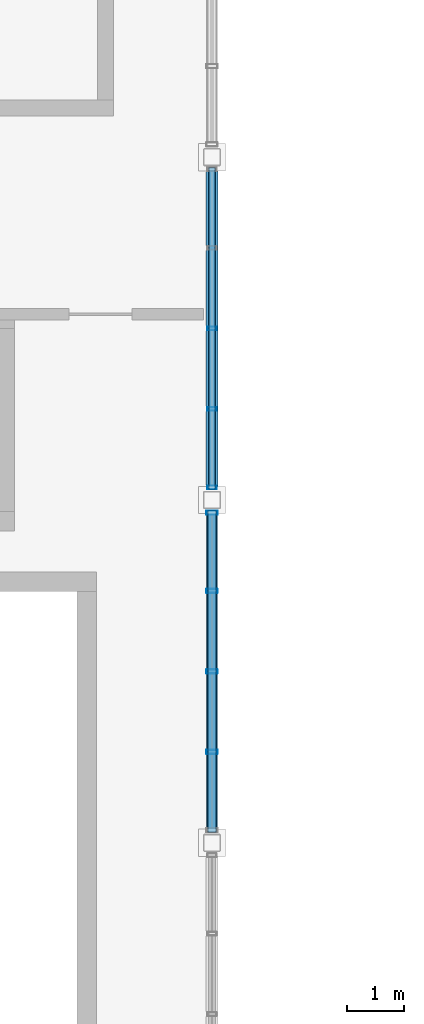
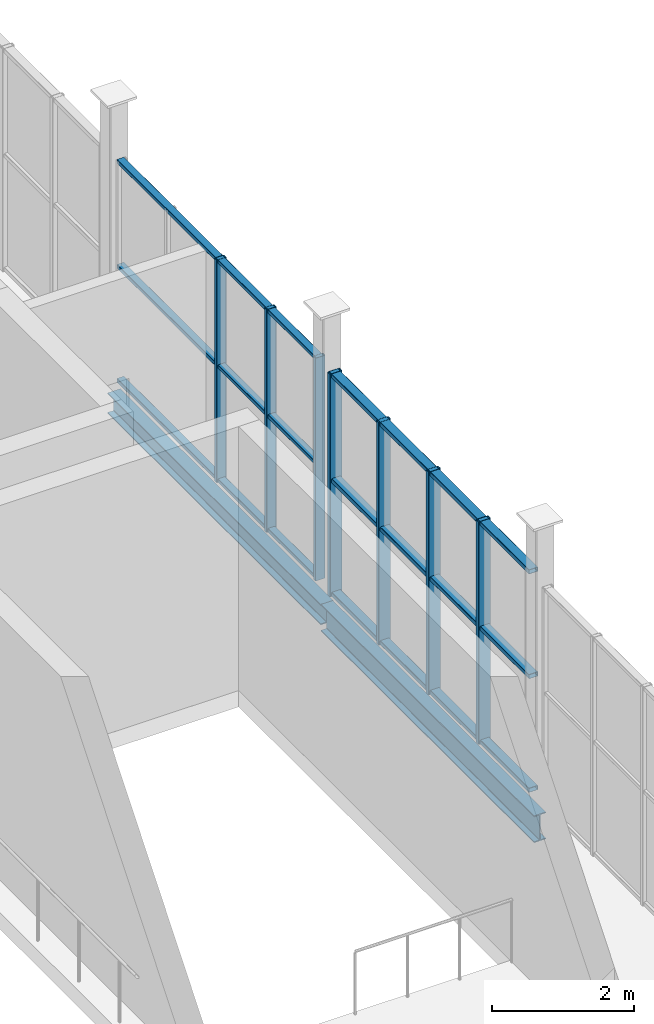
# One storey, part 36 of 114: 13 members, 2 beams, 2 elements without a shape of their own.
"""IFC4 building model written with IfcOpenShell, lengths in metres."""

from ifc_helpers import new_model, si_unit, direction, frame, origin, origin_2d, place, context, subcontext, project, spatial, hollow_rectangle, i_section, extrude, material, material_profile, profile_set, type_object, element, aggregate, save


model = new_model("IFC4")

# Units and contexts
model_context = context("Model", 3, precision=1e-05, world=origin(), true_north=direction((0.0, 1.0)))
body_context = subcontext(model_context, "Body", "Model", "MODEL_VIEW")
ifc_project = project(units=[si_unit("LENGTHUNIT", "METRE"), si_unit("AREAUNIT", "SQUARE_METRE"), si_unit("VOLUMEUNIT", "CUBIC_METRE"), si_unit("PLANEANGLEUNIT", "RADIAN"), si_unit("MASSUNIT", "GRAM", prefix="KILO")], contexts=[model_context])

# Site, building, storey
site_placement = place(None, origin())
site = spatial("IfcSite", under=ifc_project, at=site_placement, CompositionType="ELEMENT")
building_placement = place(site_placement, origin())
building = spatial("IfcBuilding", under=site, at=building_placement, Name="Verrall Gate Interchange", CompositionType="ELEMENT")
storey_placement = place(building_placement, frame((0.0, 0.0, 6.60009765625)))
storey = spatial("IfcBuildingStorey", under=building, at=storey_placement, Name="L02", CompositionType="ELEMENT", Elevation=6.60009765625)

# Beams
ifc_material_1 = material(Name="Structural Steel CSA G40.21 350W", Category="steel")
ifc_material_profile_1 = material_profile(ifc_material_1, i_section(OverallWidth=0.19189453125, OverallDepth=0.462890625, WebThickness=0.010498046875, FlangeThickness=0.017578125, FilletRadius=0.012939453125, at=origin_2d()), Name="W460x89")
ifc_profile_set_1 = profile_set([ifc_material_profile_1], Name="Structural Steel CSA G40.21 350W")
beam_type_1 = type_object("IfcBeamType", Name="B-11 Structural Beam W460x89", PredefinedType="BEAM", material=ifc_profile_set_1)
beam_1_placement = place(storey_placement, frame((108.0, 22.0, -0.51171875), z_axis=(0.0, 1.0, 0.0), x_axis=(-1.0, 0.0, 0.0)))
element("IfcBeam", 1, at=beam_1_placement, inside=storey, type_object=beam_type_1, Name="L02 Girder BM-L02-1775 (B-11)", PredefinedType="BEAM", context=body_context, shape_type="SweptSolid", body=[
    extrude(i_section(OverallWidth=0.19189453125, OverallDepth=0.462890625, WebThickness=0.010498046875, FlangeThickness=0.017578125, FilletRadius=0.012939453125, at=origin_2d()), origin(), (0.0, 0.0, 1.0), 6.0),
])
ifc_material_2 = material(Name="Structural Steel CSA G40.21 350W", Category="steel")
ifc_material_profile_2 = material_profile(ifc_material_2, i_section(OverallWidth=0.205078125, OverallDepth=0.35400390625, WebThickness=0.009521484375, FlangeThickness=0.016845703125, FilletRadius=0.012939453125, at=origin_2d()), Name="W360x79")
ifc_profile_set_2 = profile_set([ifc_material_profile_2], Name="Structural Steel CSA G40.21 350W")
beam_type_2 = type_object("IfcBeamType", Name="B-14 Structural Beam W360x79", PredefinedType="BEAM", material=ifc_profile_set_2)
beam_2_placement = place(storey_placement, frame((108.0, 28.0, -0.45703125), z_axis=(0.0, 1.0, 0.0), x_axis=(-1.0, 0.0, 0.0)))
element("IfcBeam", 2, at=beam_2_placement, inside=storey, type_object=beam_type_2, Name="L02 Girder BM-L02-1776 (B-14)", PredefinedType="BEAM", context=body_context, shape_type="SweptSolid", body=[
    extrude(i_section(OverallWidth=0.205078125, OverallDepth=0.35400390625, WebThickness=0.009521484375, FlangeThickness=0.016845703125, FilletRadius=0.012939453125, at=origin_2d()), origin(), (0.0, 0.0, 1.0), 6.0),
])

# Curtain wall, members
ifc_material_3 = material(Name="Thermally Broken Anodized Aluminium Curtain Wall Framing", Category="aluminium")
curtain_wall_type = type_object("IfcCurtainWallType", Name="CW-18 Unitized Curtain Wall 5631x3760", PredefinedType="NOTDEFINED", material=ifc_material_3)
curtain_wall_1_placement = place(storey_placement, origin())
curtain_wall_1 = element("IfcCurtainWall", 3, at=curtain_wall_1_placement, inside=storey, type_object=curtain_wall_type, Name="L02 Unitized Curtain Wall CW-L02-066", PredefinedType="NOTDEFINED")
ifc_material_4 = material(Name="Thermally Broken Anodized Aluminium Curtain Wall Framing", Category="aluminium")
ifc_material_profile_3 = material_profile(ifc_material_4, hollow_rectangle(XDim=0.06494140625, YDim=0.159912109375, WallThickness=0.00390625, InnerFilletRadius=0.00390625, OuterFilletRadius=0.008056640625, at=origin_2d()), Name="CWM160x65x4")
ifc_profile_set_3 = profile_set([ifc_material_profile_3], Name="Thermally Broken Anodized Aluminium Curtain Wall Framing")
member_type_1 = type_object("IfcMemberType", Name="CM-01 Curtain Mullion CWM160x65x4", PredefinedType="MULLION", material=ifc_profile_set_3)
member_1_placement = place(storey_placement, frame((108.0, 28.217041015625, 0.0), z_axis=(0.0, 0.0, 1.0), x_axis=(0.0, 1.0, 0.0)))
member_1 = element("IfcMember", 4, at=member_1_placement, type_object=member_type_1, Name="CW-L02-066 Mullion 1", PredefinedType="MULLION", context=body_context, shape_type="SweptSolid", body=[
    extrude(hollow_rectangle(XDim=0.06494140625, YDim=0.159912109375, WallThickness=0.00390625, InnerFilletRadius=0.00390625, OuterFilletRadius=0.008056640625, at=origin_2d()), origin(), (0.0, 0.0, 1.0), 3.829833984375),
])
member_2_placement = place(storey_placement, frame((108.0, 29.59228515625, 0.0), z_axis=(0.0, 0.0, 1.0), x_axis=(0.0, 1.0, 0.0)))
member_2 = element("IfcMember", 5, at=member_2_placement, type_object=member_type_1, Name="CW-L02-066 Mullion 2", PredefinedType="MULLION", context=body_context, shape_type="SweptSolid", body=[
    extrude(hollow_rectangle(XDim=0.06494140625, YDim=0.159912109375, WallThickness=0.00390625, InnerFilletRadius=0.00390625, OuterFilletRadius=0.008056640625, at=origin_2d()), origin(), (0.0, 0.0, 1.0), 3.829833984375),
])
member_3_placement = place(storey_placement, frame((108.0, 31.0, 0.0), z_axis=(0.0, 0.0, 1.0), x_axis=(0.0, 1.0, 0.0)))
member_3 = element("IfcMember", 6, at=member_3_placement, type_object=member_type_1, Name="CW-L02-066 Mullion 3", PredefinedType="MULLION", context=body_context, shape_type="SweptSolid", body=[
    extrude(hollow_rectangle(XDim=0.06494140625, YDim=0.159912109375, WallThickness=0.00390625, InnerFilletRadius=0.00390625, OuterFilletRadius=0.008056640625, at=origin_2d()), origin(), (0.0, 0.0, 1.0), 3.829833984375),
])

curtain_wall_2_placement = place(storey_placement, origin())
curtain_wall_2 = element("IfcCurtainWall", 7, at=curtain_wall_2_placement, inside=storey, type_object=curtain_wall_type, Name="L02 Unitized Curtain Wall CW-L02-065", PredefinedType="NOTDEFINED")
ifc_material_5 = material(Name="Thermally Broken Anodized Aluminium Curtain Wall Framing", Category="aluminium")
ifc_material_profile_4 = material_profile(ifc_material_5, hollow_rectangle(XDim=0.074951171875, YDim=0.199951171875, WallThickness=0.0048828125, InnerFilletRadius=0.0048828125, OuterFilletRadius=0.010009765625, at=origin_2d()), Name="CWM200x75x5")
ifc_profile_set_4 = profile_set([ifc_material_profile_4], Name="Thermally Broken Anodized Aluminium Curtain Wall Framing")
member_type_2 = type_object("IfcMemberType", Name="CM-02 Curtain Mullion CWM200x75x5", PredefinedType="MULLION", material=ifc_profile_set_4)
member_4_placement = place(storey_placement, frame((108.0, 23.59228515625, 0.0), z_axis=(0.0, 0.0, 1.0), x_axis=(0.0, 1.0, 0.0)))
member_4 = element("IfcMember", 8, at=member_4_placement, type_object=member_type_2, Name="CW-L02-065 Mullion 2", PredefinedType="MULLION", context=body_context, shape_type="SweptSolid", body=[
    extrude(hollow_rectangle(XDim=0.074951171875, YDim=0.199951171875, WallThickness=0.0048828125, InnerFilletRadius=0.0048828125, OuterFilletRadius=0.010009765625, at=origin_2d()), origin(), (0.0, 0.0, 1.0), 3.829833984375),
])
member_5_placement = place(storey_placement, frame((108.0, 25.0, 0.0), z_axis=(0.0, 0.0, 1.0), x_axis=(0.0, 1.0, 0.0)))
member_5 = element("IfcMember", 9, at=member_5_placement, type_object=member_type_2, Name="CW-L02-065 Mullion 3", PredefinedType="MULLION", context=body_context, shape_type="SweptSolid", body=[
    extrude(hollow_rectangle(XDim=0.074951171875, YDim=0.199951171875, WallThickness=0.0048828125, InnerFilletRadius=0.0048828125, OuterFilletRadius=0.010009765625, at=origin_2d()), origin(), (0.0, 0.0, 1.0), 3.829833984375),
])
member_6_placement = place(storey_placement, frame((108.0, 26.40771484375, 0.0), z_axis=(0.0, 0.0, 1.0), x_axis=(0.0, 1.0, 0.0)))
member_6 = element("IfcMember", 10, at=member_6_placement, type_object=member_type_2, Name="CW-L02-065 Mullion 4", PredefinedType="MULLION", context=body_context, shape_type="SweptSolid", body=[
    extrude(hollow_rectangle(XDim=0.074951171875, YDim=0.199951171875, WallThickness=0.0048828125, InnerFilletRadius=0.0048828125, OuterFilletRadius=0.010009765625, at=origin_2d()), origin(), (0.0, 0.0, 1.0), 3.829833984375),
])
member_7_placement = place(storey_placement, frame((108.0, 27.778076171875, 0.0), z_axis=(0.0, 0.0, 1.0), x_axis=(0.0, 1.0, 0.0)))
member_7 = element("IfcMember", 11, at=member_7_placement, type_object=member_type_2, Name="CW-L02-065 Mullion 5", PredefinedType="MULLION", context=body_context, shape_type="SweptSolid", body=[
    extrude(hollow_rectangle(XDim=0.074951171875, YDim=0.199951171875, WallThickness=0.0048828125, InnerFilletRadius=0.0048828125, OuterFilletRadius=0.010009765625, at=origin_2d()), origin(), (0.0, 0.0, 1.0), 3.829833984375),
])

# Member
ifc_material_6 = material(Name="Thermally Broken Anodized Aluminium Curtain Wall Framing", Category="aluminium")
ifc_material_profile_5 = material_profile(ifc_material_6, hollow_rectangle(XDim=0.1201171875, YDim=0.06494140625, WallThickness=0.00390625, InnerFilletRadius=0.00390625, OuterFilletRadius=0.008056640625, at=origin_2d()), Name="CWT120x65x4")
ifc_profile_set_5 = profile_set([ifc_material_profile_5], Name="Thermally Broken Anodized Aluminium Curtain Wall Framing")
member_type_3 = type_object("IfcMemberType", Name="CT-01 Curtain Transom CWT120x65x4", PredefinedType="USERDEFINED", material=ifc_profile_set_5)
member_8_placement = place(storey_placement, frame((108.0, 28.1845703125, 0.032470703125), z_axis=(0.0, 1.0, 0.0), x_axis=(-1.0, 0.0, 0.0)))
member_8 = element("IfcMember", 12, at=member_8_placement, type_object=member_type_3, Name="CW-L02-066 Transom 1", ObjectType="TRANSOM", PredefinedType="USERDEFINED", context=body_context, shape_type="SweptSolid", body=[
    extrude(hollow_rectangle(XDim=0.1201171875, YDim=0.06494140625, WallThickness=0.00390625, InnerFilletRadius=0.00390625, OuterFilletRadius=0.008056640625, at=origin_2d()), origin(), (0.0, 0.0, 1.0), 5.630859375),
])

member_9_placement = place(storey_placement, frame((108.0, 28.1845703125, 1.991455078125), z_axis=(0.0, 1.0, 0.0), x_axis=(-1.0, 0.0, 0.0)))
member_9 = element("IfcMember", 13, at=member_9_placement, type_object=member_type_3, Name="CW-L02-066 Transom 2", ObjectType="TRANSOM", PredefinedType="USERDEFINED", context=body_context, shape_type="SweptSolid", body=[
    extrude(hollow_rectangle(XDim=0.1201171875, YDim=0.06494140625, WallThickness=0.00390625, InnerFilletRadius=0.00390625, OuterFilletRadius=0.008056640625, at=origin_2d()), origin(), (0.0, 0.0, 1.0), 5.630859375),
])

member_10_placement = place(storey_placement, frame((108.0, 28.1845703125, 3.79736328125), z_axis=(0.0, 1.0, 0.0), x_axis=(-1.0, 0.0, 0.0)))
member_10 = element("IfcMember", 14, at=member_10_placement, type_object=member_type_3, Name="CW-L02-066 Transom 3", ObjectType="TRANSOM", PredefinedType="USERDEFINED", context=body_context, shape_type="SweptSolid", body=[
    extrude(hollow_rectangle(XDim=0.1201171875, YDim=0.06494140625, WallThickness=0.00390625, InnerFilletRadius=0.00390625, OuterFilletRadius=0.008056640625, at=origin_2d()), origin(), (0.0, 0.0, 1.0), 5.630859375),
])

aggregate(curtain_wall_1, [member_1, member_2, member_3, member_8, member_9, member_10])

ifc_material_7 = material(Name="Thermally Broken Anodized Aluminium Curtain Wall Framing", Category="aluminium")
ifc_material_profile_6 = material_profile(ifc_material_7, hollow_rectangle(XDim=0.14990234375, YDim=0.074951171875, WallThickness=0.00439453125, InnerFilletRadius=0.00439453125, OuterFilletRadius=0.009033203125, at=origin_2d()), Name="CWT150x75x4.5")
ifc_profile_set_6 = profile_set([ifc_material_profile_6], Name="Thermally Broken Anodized Aluminium Curtain Wall Framing")
member_type_4 = type_object("IfcMemberType", Name="CT-02 Curtain Transom CWT150x75x4.5", PredefinedType="USERDEFINED", material=ifc_profile_set_6)
member_11_placement = place(storey_placement, frame((108.0, 22.1845703125, 0.037353515625), z_axis=(0.0, 1.0, 0.0), x_axis=(-1.0, 0.0, 0.0)))
member_11 = element("IfcMember", 15, at=member_11_placement, type_object=member_type_4, Name="CW-L02-065 Transom 1", ObjectType="TRANSOM", PredefinedType="USERDEFINED", context=body_context, shape_type="SweptSolid", body=[
    extrude(hollow_rectangle(XDim=0.14990234375, YDim=0.074951171875, WallThickness=0.00439453125, InnerFilletRadius=0.00439453125, OuterFilletRadius=0.009033203125, at=origin_2d()), origin(), (0.0, 0.0, 1.0), 5.630859375),
])

member_12_placement = place(storey_placement, frame((108.0, 22.1845703125, 1.991455078125), z_axis=(0.0, 1.0, 0.0), x_axis=(-1.0, 0.0, 0.0)))
member_12 = element("IfcMember", 16, at=member_12_placement, type_object=member_type_4, Name="CW-L02-065 Transom 2", ObjectType="TRANSOM", PredefinedType="USERDEFINED", context=body_context, shape_type="SweptSolid", body=[
    extrude(hollow_rectangle(XDim=0.14990234375, YDim=0.074951171875, WallThickness=0.00439453125, InnerFilletRadius=0.00439453125, OuterFilletRadius=0.009033203125, at=origin_2d()), origin(), (0.0, 0.0, 1.0), 5.630859375),
])

member_13_placement = place(storey_placement, frame((108.0, 22.1845703125, 3.79248046875), z_axis=(0.0, 1.0, 0.0), x_axis=(-1.0, 0.0, 0.0)))
member_13 = element("IfcMember", 17, at=member_13_placement, type_object=member_type_4, Name="CW-L02-065 Transom 3", ObjectType="TRANSOM", PredefinedType="USERDEFINED", context=body_context, shape_type="SweptSolid", body=[
    extrude(hollow_rectangle(XDim=0.14990234375, YDim=0.074951171875, WallThickness=0.00439453125, InnerFilletRadius=0.00439453125, OuterFilletRadius=0.009033203125, at=origin_2d()), origin(), (0.0, 0.0, 1.0), 5.630859375),
])

aggregate(curtain_wall_2, [member_4, member_5, member_6, member_7, member_11, member_12, member_13])

save(model, "model.ifc")
